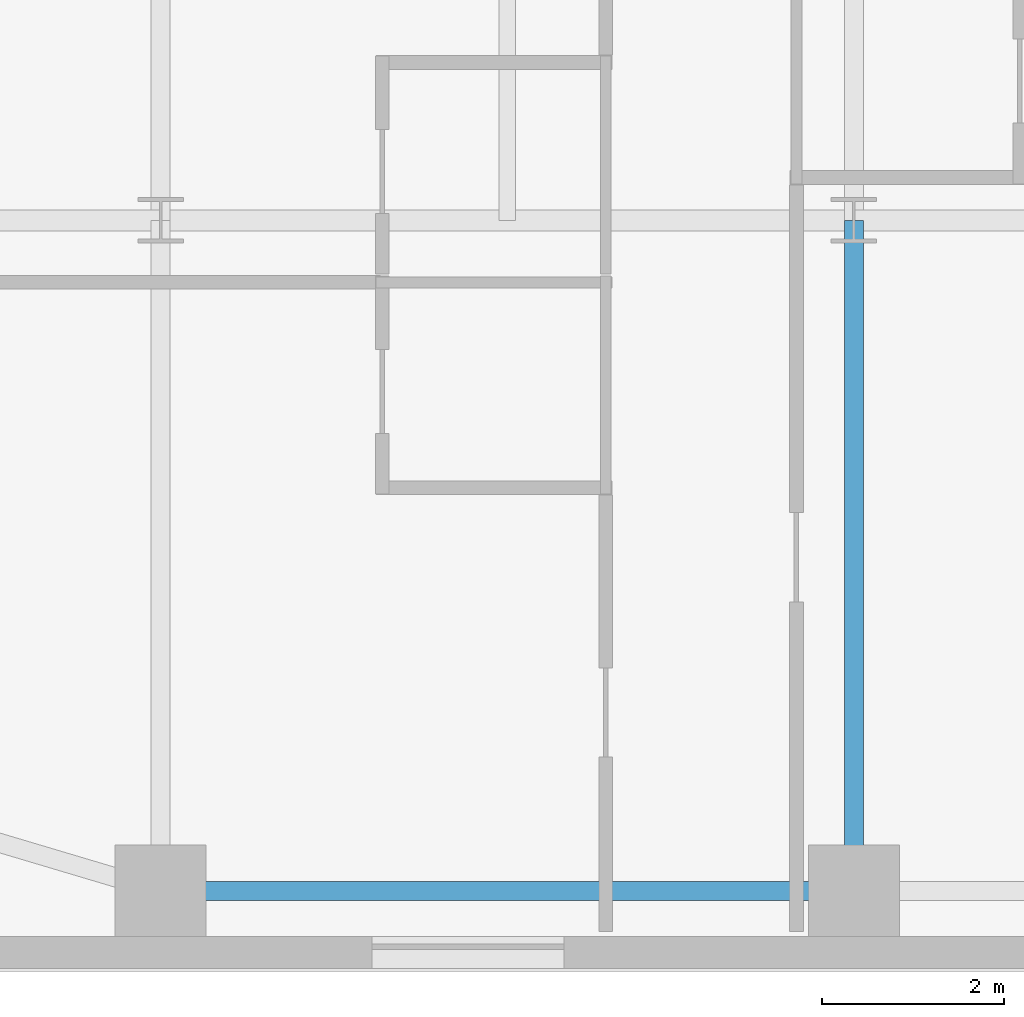
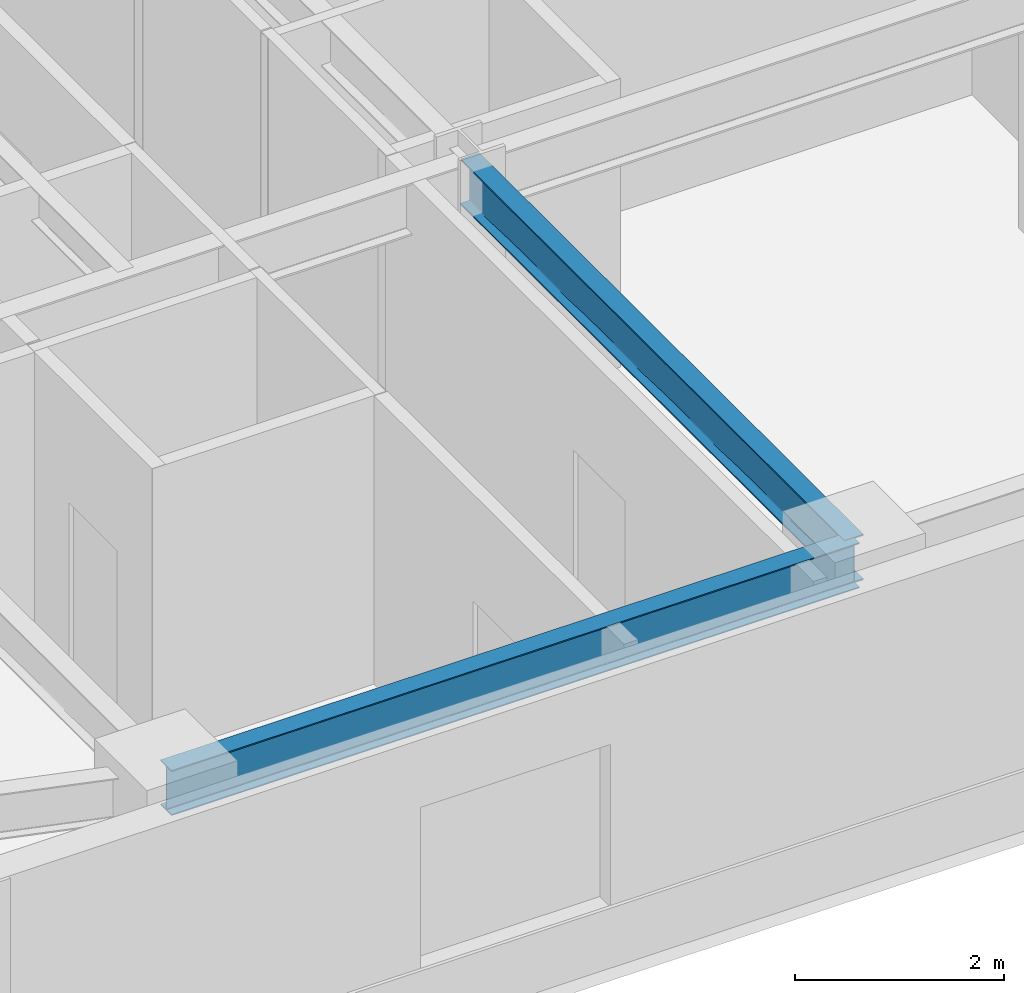
# One storey, part 3 of 37: 2 beams.
"""IFC4 building model written with IfcOpenShell, lengths in metres."""

from ifc_helpers import new_model, si_unit, direction, frame, origin, origin_2d, place, context, subcontext, project, spatial, i_section, extrude, source, transform, mapped, material, material_profile, profile_set, type_object, type_shapes, element, save


model = new_model("IFC4")

# Units and contexts
model_context = context("Model", 3, precision=1e-05, world=origin(), true_north=direction((0.0, 1.0)))
body_context = subcontext(model_context, "Body", "Model", "MODEL_VIEW")
ifc_project = project(units=[si_unit("LENGTHUNIT", "METRE"), si_unit("AREAUNIT", "SQUARE_METRE"), si_unit("VOLUMEUNIT", "CUBIC_METRE"), si_unit("PLANEANGLEUNIT", "RADIAN"), si_unit("MASSUNIT", "GRAM", prefix="KILO")], contexts=[model_context])

# Site, building, storey
site_placement = place(None, origin())
site = spatial("IfcSite", under=ifc_project, at=site_placement, CompositionType="ELEMENT")
building_placement = place(site_placement, origin())
building = spatial("IfcBuilding", under=site, at=building_placement, Name="Tolvann Quenvar Hotel", CompositionType="ELEMENT")
storey_placement = place(building_placement, frame((0.0, 0.0, 53.300048828125)))
storey = spatial("IfcBuildingStorey", under=building, at=storey_placement, Name="L12", CompositionType="ELEMENT", Elevation=53.300048828125)

# Beams
ifc_material = material(Name="Steel Grade 350", Category="steel")
ifc_material_profile_1 = material_profile(ifc_material, i_section(OverallWidth=0.208984375, OverallDepth=0.528076171875, WebThickness=0.009521484375, FlangeThickness=0.01318359375, FilletRadius=0.013916015625, at=origin_2d()), Name="530UB82")
ifc_profile_set_1 = profile_set([ifc_material_profile_1], Name="Steel Grade 350")
beam_type_1 = type_object("IfcBeamType", Name="BM_SPAND_530UB82", PredefinedType="SPANDREL", material=ifc_profile_set_1)
shared_shape_1 = source(origin(), body_context, "Body", "SweptSolid", [
    extrude(i_section(OverallWidth=0.208984375, OverallDepth=0.528076171875, WebThickness=0.009521484375, FlangeThickness=0.01318359375, FilletRadius=0.013916015625, at=origin_2d()), origin(), (0.0, 0.0, 1.0), 7.599853515625),
])
type_shapes(beam_type_1, [shared_shape_1])
beam_1_placement = place(storey_placement, frame((7.60009765625, 0.85009765625, 3.10595703125), z_axis=(1.0, 0.0, 0.0), x_axis=(0.0, 1.0, 0.0)))
element("IfcBeam", 1, at=beam_1_placement, inside=storey, type_object=beam_type_1, Name="BM-L12-EW-2-C2-D2", PredefinedType="SPANDREL", context=body_context, shape_type="MappedRepresentation", body=[
    mapped(shared_shape_1, transform((0.0, 0.0, 0.0), x_axis=(1.0, 0.0, 0.0), y_axis=(0.0, 1.0, 0.0), z_axis=(0.0, 0.0, 1.0), scale=1.0)),
])
ifc_material_profile_2 = material_profile(ifc_material, i_section(OverallWidth=0.208984375, OverallDepth=0.532958984375, WebThickness=0.01025390625, FlangeThickness=0.015625, FilletRadius=0.013916015625, at=origin_2d()), Name="530UB92")
ifc_profile_set_2 = profile_set([ifc_material_profile_2], Name="Steel Grade 350")
beam_type_2 = type_object("IfcBeamType", Name="BM_GIRD_530UB92", PredefinedType="BEAM", material=ifc_profile_set_2)
shared_shape_2 = source(origin(), body_context, "Body", "SweptSolid", [
    extrude(i_section(OverallWidth=0.208984375, OverallDepth=0.532958984375, WebThickness=0.01025390625, FlangeThickness=0.015625, FilletRadius=0.013916015625, at=origin_2d()), origin(), (0.0, 0.0, 1.0), 7.349853515625),
])
type_shapes(beam_type_2, [shared_shape_2])
beam_2_placement = place(storey_placement, frame((15.199951171875, 0.85009765625, 3.103515625), z_axis=(0.0, 1.0, 0.0), x_axis=(-1.0, 0.0, 0.0)))
element("IfcBeam", 2, at=beam_2_placement, inside=storey, type_object=beam_type_2, Name="BM-L12-NS-D2-D3", PredefinedType="BEAM", context=body_context, shape_type="MappedRepresentation", body=[
    mapped(shared_shape_2, transform((0.0, 0.0, 0.0), x_axis=(1.0, 0.0, 0.0), y_axis=(0.0, 1.0, 0.0), z_axis=(0.0, 0.0, 1.0), scale=1.0)),
])

save(model, "model.ifc")
